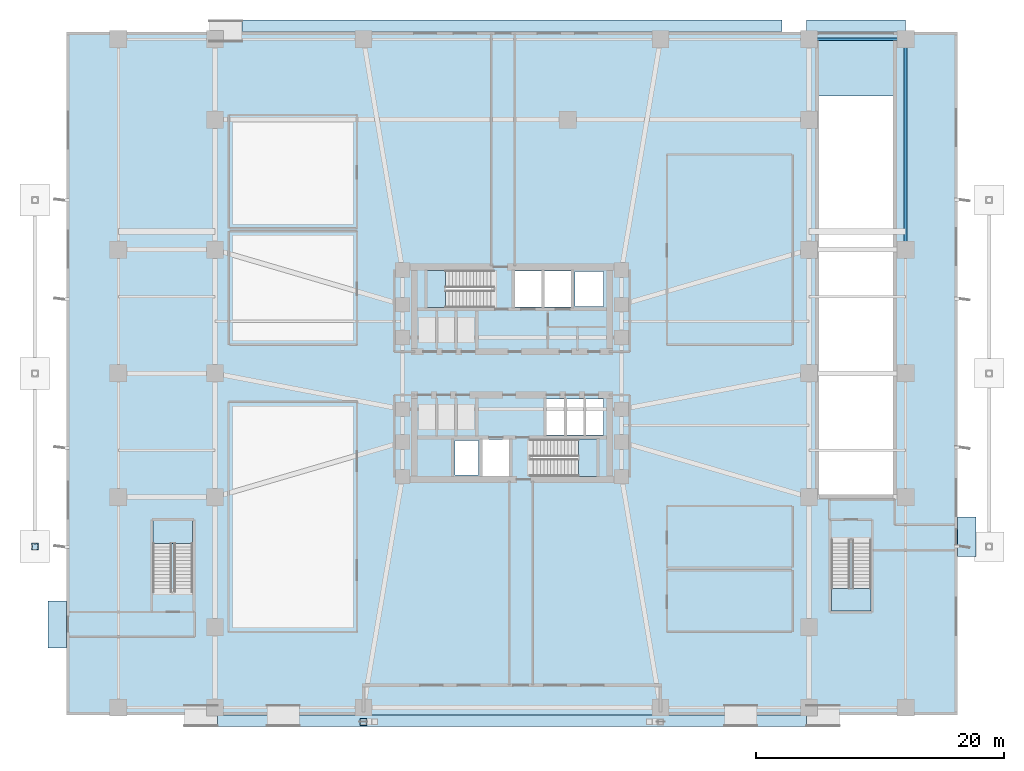
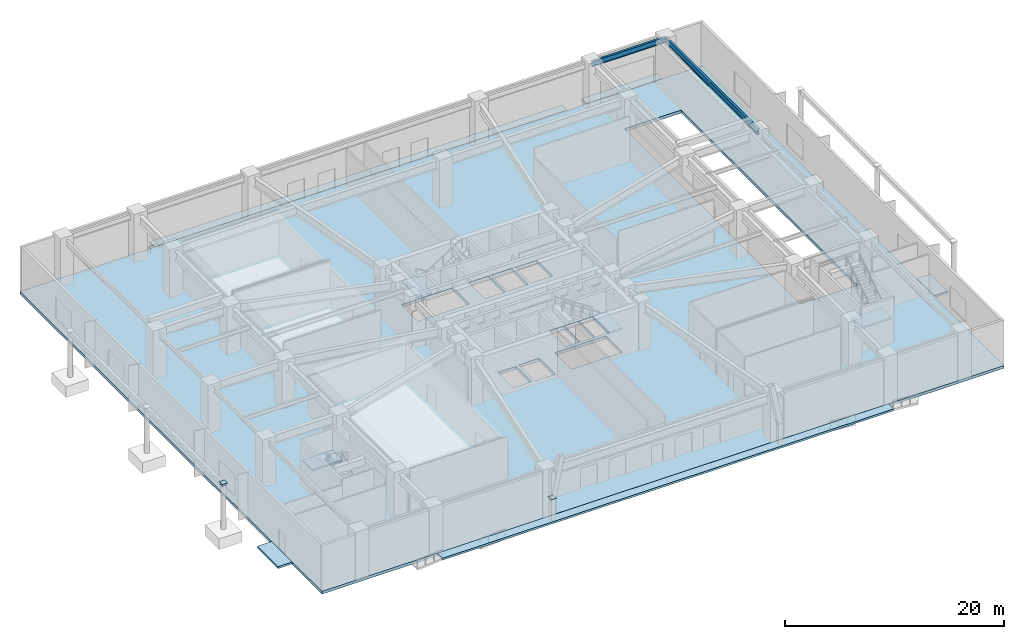
# One storey, part 7 of 20: 10 slabs, 3 plates, 2 beams, 4 elements without a shape of their own.
"""IFC4 building model written with IfcOpenShell, lengths in metres."""

from ifc_helpers import new_model, si_unit, direction, frame, origin, origin_2d, place, context, subcontext, project, spatial, polyline, rectangle, i_section, outline, extrude, material, layer, layer_set, material_profile, profile_set, type_object, element, aggregate, save


model = new_model("IFC4")

# Units and contexts
model_context = context("Model", 3, precision=1e-05, world=origin(), true_north=direction((0.0, 1.0)))
body_context = subcontext(model_context, "Body", "Model", "MODEL_VIEW")
ifc_project = project(units=[si_unit("LENGTHUNIT", "METRE"), si_unit("AREAUNIT", "SQUARE_METRE"), si_unit("VOLUMEUNIT", "CUBIC_METRE"), si_unit("PLANEANGLEUNIT", "RADIAN"), si_unit("MASSUNIT", "GRAM", prefix="KILO")], contexts=[model_context])

# Site, building, storey
site_placement = place(None, origin())
site = spatial("IfcSite", under=ifc_project, at=site_placement, CompositionType="ELEMENT")
building_placement = place(site_placement, origin())
building = spatial("IfcBuilding", under=site, at=building_placement, Name="Solmarez Civic Tower", CompositionType="ELEMENT")
storey_placement = place(building_placement, origin())
storey = spatial("IfcBuildingStorey", under=building, at=storey_placement, Name="L00", CompositionType="ELEMENT", Elevation=0.0)

# Beams
ifc_material_1 = material(Name="Steel S355", Category="steel")
ifc_material_profile = material_profile(ifc_material_1, i_section(OverallWidth=0.22900390625, OverallDepth=0.612060546875, WebThickness=0.011962890625, FlangeThickness=0.01953125, at=origin_2d()), Name="W24X84")
ifc_profile_set = profile_set([ifc_material_profile], Name="Steel S355")
beam_type = type_object("IfcBeamType", Name="BM-SP-W24X84", PredefinedType="SPANDREL", material=ifc_profile_set)
beam_1_placement = place(storey_placement, frame((24.0, 27.0, 4.77392578125), z_axis=(1.0, 0.0, 0.0), x_axis=(0.0, 1.0, 0.0)))
element("IfcBeam", 1, at=beam_1_placement, inside=storey, type_object=beam_type, Name="L00 Perimeter Spandrel Beam BM-L00-PC11-PC12", PredefinedType="SPANDREL", context=body_context, shape_type="SweptSolid", body=[
    extrude(i_section(OverallWidth=0.22900390625, OverallDepth=0.612060546875, WebThickness=0.011962890625, FlangeThickness=0.01953125, at=origin_2d()), origin(), (0.0, 0.0, 1.0), 7.800048828125),
])
beam_2_placement = place(storey_placement, frame((31.800048828125, 10.0, 4.77392578125), z_axis=(0.0, 1.0, 0.0), x_axis=(-1.0, 0.0, 0.0)))
element("IfcBeam", 2, at=beam_2_placement, inside=storey, type_object=beam_type, Name="L00 Perimeter Spandrel Beam BM-L00-PC18-PC12", PredefinedType="SPANDREL", context=body_context, shape_type="SweptSolid", body=[
    extrude(i_section(OverallWidth=0.22900390625, OverallDepth=0.612060546875, WebThickness=0.011962890625, FlangeThickness=0.01953125, at=origin_2d()), origin(), (0.0, 0.0, 1.0), 17.0),
])

# Plates
ifc_layer_1 = layer(ifc_material_1, 0.02392578125)
ifc_layer_set_1 = layer_set([ifc_layer_1], Name="Steel S355")
plate_type_1 = type_object("IfcPlateType", Name="PLT-CAP-380", PredefinedType="USERDEFINED", material=ifc_layer_set_1)
plate_placement = place(storey_placement, frame((-38.550048828125, -14.0, 4.5380859375), z_axis=(0.0, 0.0, 1.0), x_axis=(1.0, 0.0, 0.0)))
element("IfcPlate", 3, at=plate_placement, inside=storey, type_object=plate_type_1, Name="Steel Member End Cap Plate CAP-BM-CANOPY-W1-0", ObjectType="CAP_PLATE", PredefinedType="USERDEFINED", context=body_context, shape_type="SweptSolid", body=[
    extrude(rectangle(XDim=0.419921875, YDim=0.419921875, at=origin_2d()), origin(), (0.0, 0.0, 1.0), 0.02392578125),
])
ifc_layer_2 = layer(ifc_material_1, 0.028076171875)
ifc_layer_set_2 = layer_set([ifc_layer_2], Name="Steel S355")
plate_type_2 = type_object("IfcPlateType", Name="PLT-CAP-540", PredefinedType="USERDEFINED", material=ifc_layer_set_2)
for number, where, z_axis, x_axis, name in (
    (4, (-38.550048828125, -14.0, 4.7861328125), (0.0, 0.0, 1.0), (1.0, 0.0, 0.0), "Steel Member End Cap Plate CAP-COL-CANOPY-PF-W1-TOP"),
    (5, (-12.0, -28.14990234375, 2.3857421875), (0.0, 0.0, 1.0), (1.0, 0.0, 0.0), "Steel Member End Cap Plate PLT-ARCH-NODE-01"),
):
    element("IfcPlate", number, at=place(storey_placement, frame(where, z_axis=z_axis, x_axis=x_axis)), inside=storey, type_object=plate_type_2, Name=name, ObjectType="CAP_PLATE", PredefinedType="USERDEFINED", context=body_context, shape_type="SweptSolid", body=[
        extrude(rectangle(XDim=0.56005859375, YDim=0.56005859375, at=origin_2d()), origin(), (0.0, 0.0, 1.0), 0.028076171875),
    ])

# Slabs
ifc_material_2 = material(Name="Concrete C45/55", Category="concrete")
ifc_layer_3 = layer(ifc_material_2, 0.219970703125)
ifc_layer_set_3 = layer_set([ifc_layer_3], Name="Concrete C45/55")
slab_type_1 = type_object("IfcSlabType", Name="SLAB-APRON-220", PredefinedType="BASESLAB", material=ifc_layer_set_3)
slab_1_placement = place(storey_placement, frame((0.0, 0.0, -0.219970703125)))
element("IfcSlab", 6, at=slab_1_placement, inside=storey, type_object=slab_type_1, Name="L00 North Vehicle Gate Apron Slab", PredefinedType="BASESLAB", context=body_context, shape_type="SweptSolid", body=[
    extrude(outline(polyline([(23.800048828125, 27.60205078125), (31.800048828125, 27.60205078125), (31.800048828125, 28.550048828125), (23.800048828125, 28.550048828125), (23.800048828125, 27.60205078125)])), origin(), (0.0, 0.0, 1.0), 0.219970703125),
])
slab_2_placement = place(storey_placement, frame((0.0, 0.0, -0.219970703125)))
element("IfcSlab", 7, at=slab_2_placement, inside=storey, type_object=slab_type_1, Name="L00 South Civic Arch Forecourt Slab", PredefinedType="BASESLAB", context=body_context, shape_type="SweptSolid", body=[
    extrude(outline(polyline([(-23.800048828125, -28.550048828125), (23.800048828125, -28.550048828125), (23.800048828125, -27.60205078125), (-23.800048828125, -27.60205078125), (-23.800048828125, -28.550048828125)])), origin(), (0.0, 0.0, 1.0), 0.219970703125),
])
slab_3_placement = place(storey_placement, frame((0.0, 0.0, -0.219970703125)))
element("IfcSlab", 8, at=slab_3_placement, inside=storey, type_object=slab_type_1, Name="L00 North Civic Plaza Forecourt Slab", PredefinedType="BASESLAB", context=body_context, shape_type="SweptSolid", body=[
    extrude(outline(polyline([(-21.800048828125, 27.60205078125), (21.800048828125, 27.60205078125), (21.800048828125, 28.550048828125), (-21.800048828125, 28.550048828125), (-21.800048828125, 27.60205078125)])), origin(), (0.0, 0.0, 1.0), 0.219970703125),
])
slab_4_placement = place(storey_placement, frame((0.0, 0.0, -0.219970703125)))
element("IfcSlab", 9, at=slab_4_placement, inside=storey, type_object=slab_type_1, Name="L00 West Stair Exit Apron Slab", PredefinedType="BASESLAB", context=body_context, shape_type="SweptSolid", body=[
    extrude(outline(polyline([(-37.5, -22.199951171875), (-36.001953125, -22.199951171875), (-36.001953125, -18.39990234375), (-37.5, -18.39990234375), (-37.5, -22.199951171875)])), origin(), (0.0, 0.0, 1.0), 0.219970703125),
])
slab_5_placement = place(storey_placement, frame((0.0, 0.0, -0.219970703125)))
element("IfcSlab", 10, at=slab_5_placement, inside=storey, type_object=slab_type_1, Name="L00 East Stair Exit Apron Slab", PredefinedType="BASESLAB", context=body_context, shape_type="SweptSolid", body=[
    extrude(outline(polyline([(36.001953125, -14.800048828125), (37.5, -14.800048828125), (37.5, -11.60009765625), (36.001953125, -11.60009765625), (36.001953125, -14.800048828125)])), origin(), (0.0, 0.0, 1.0), 0.219970703125),
])

# Stair, slab
ifc_material_3 = material(Name="Concrete C50/60", Category="concrete")
stair_type_1 = type_object("IfcStairType", Name="STAIR-DOGLEG-140W-30R-1800", PredefinedType="HALF_TURN_STAIR", material=ifc_material_3)
stair_1_placement = place(storey_placement, origin())
stair_1 = element("IfcStair", 11, at=stair_1_placement, inside=storey, type_object=stair_type_1, Name="L00 North Core Protected Exit Stair ST-1", PredefinedType="HALF_TURN_STAIR")
ifc_layer_4 = layer(ifc_material_3, 0.199951171875)
ifc_layer_set_4 = layer_set([ifc_layer_4], Name="Concrete C50/60")
slab_type_2 = type_object("IfcSlabType", Name="SLAB-LANDING-200", PredefinedType="LANDING", material=ifc_layer_set_4)
slab_6_placement = place(storey_placement, frame((0.0, 0.0, 2.5)))
slab_6 = element("IfcSlab", 12, at=slab_6_placement, type_object=slab_type_2, Name="ST-1 landing 1", PredefinedType="LANDING", context=body_context, shape_type="SweptSolid", body=[
    extrude(outline(polyline([(-5.3701171875, 8.320068359375), (-6.85009765625, 8.320068359375), (-6.85009765625, 5.320068359375), (-5.3701171875, 5.320068359375), (-5.3701171875, 8.320068359375)])), origin(), (0.0, 0.0, 1.0), 0.199951171875),
])
aggregate(stair_1, [slab_6])

stair_2_placement = place(storey_placement, origin())
stair_2 = element("IfcStair", 13, at=stair_2_placement, inside=storey, type_object=stair_type_1, Name="L00 South Core Protected Exit Stair ST-2", PredefinedType="HALF_TURN_STAIR")
slab_7_placement = place(storey_placement, frame((0.0, 0.0, 2.5)))
slab_7 = element("IfcSlab", 14, at=slab_7_placement, type_object=slab_type_2, Name="ST-2 landing 1", PredefinedType="LANDING", context=body_context, shape_type="SweptSolid", body=[
    extrude(outline(polyline([(5.3701171875, -8.320068359375), (6.85009765625, -8.320068359375), (6.85009765625, -5.320068359375), (5.3701171875, -5.320068359375), (5.3701171875, -8.320068359375)])), origin(), (0.0, 0.0, 1.0), 0.199951171875),
])
aggregate(stair_2, [slab_7])

stair_type_2 = type_object("IfcStairType", Name="STAIR-DOGLEG-150W-30R-1800", PredefinedType="HALF_TURN_STAIR", material=ifc_material_3)
stair_3_placement = place(storey_placement, origin())
stair_3 = element("IfcStair", 15, at=stair_3_placement, inside=storey, type_object=stair_type_2, Name="L00 West Podium Exit Stair ST-P1", PredefinedType="HALF_TURN_STAIR")
slab_8_placement = place(storey_placement, frame((0.0, 0.0, 2.5)))
slab_8 = element("IfcSlab", 16, at=slab_8_placement, type_object=slab_type_2, Name="ST-P1 landing 1", PredefinedType="LANDING", context=body_context, shape_type="SweptSolid", body=[
    extrude(outline(polyline([(-25.800048828125, -13.72998046875), (-25.800048828125, -11.89990234375), (-29.0, -11.89990234375), (-29.0, -13.72998046875), (-25.800048828125, -13.72998046875)])), origin(), (0.0, 0.0, 1.0), 0.199951171875),
])
aggregate(stair_3, [slab_8])

stair_4_placement = place(storey_placement, origin())
stair_4 = element("IfcStair", 17, at=stair_4_placement, inside=storey, type_object=stair_type_2, Name="L00 East Podium Exit Stair ST-P2", PredefinedType="HALF_TURN_STAIR")
slab_9_placement = place(storey_placement, frame((0.0, 0.0, 2.5)))
slab_9 = element("IfcSlab", 18, at=slab_9_placement, type_object=slab_type_2, Name="ST-P2 landing 1", PredefinedType="LANDING", context=body_context, shape_type="SweptSolid", body=[
    extrude(outline(polyline([(25.800048828125, -17.3701171875), (25.800048828125, -19.199951171875), (29.0, -19.199951171875), (29.0, -17.3701171875), (25.800048828125, -17.3701171875)])), origin(), (0.0, 0.0, 1.0), 0.199951171875),
])
aggregate(stair_4, [slab_9])

# Slab
ifc_layer_5 = layer(ifc_material_3, 0.320068359375)
ifc_layer_set_5 = layer_set([ifc_layer_5], Name="Concrete C50/60")
slab_type_3 = type_object("IfcSlabType", Name="SLAB-POD-320", PredefinedType="FLOOR", material=ifc_layer_set_5)
slab_10_placement = place(storey_placement, frame((0.0, 0.0, -0.320068359375)))
element("IfcSlab", 19, at=slab_10_placement, inside=storey, type_object=slab_type_3, Name="L00 Structural Slab", PredefinedType="FLOOR", context=body_context, shape_type="SweptSolid", body=[
    extrude(outline(polyline([(36.0, -27.60009765625), (36.0, 27.60009765625), (-36.0, 27.60009765625), (-36.0, -27.60009765625), (36.0, -27.60009765625)]), holes=[polyline([(-1.449951171875, 8.320068359375), (-6.85009765625, 8.320068359375), (-6.85009765625, 5.320068359375), (-1.449951171875, 5.320068359375), (-1.449951171875, 8.320068359375)]), polyline([(1.449951171875, -8.320068359375), (6.85009765625, -8.320068359375), (6.85009765625, -5.320068359375), (1.449951171875, -5.320068359375), (1.449951171875, -8.320068359375)]), polyline([(0.219970703125, 5.360107421875), (2.3798828125, 5.360107421875), (2.3798828125, 8.280029296875), (0.219970703125, 8.280029296875), (0.219970703125, 5.360107421875)]), polyline([(2.6201171875, 5.360107421875), (4.780029296875, 5.360107421875), (4.780029296875, 8.280029296875), (2.6201171875, 8.280029296875), (2.6201171875, 5.360107421875)]), polyline([(-2.3798828125, -8.280029296875), (-0.219970703125, -8.280029296875), (-0.219970703125, -5.360107421875), (-2.3798828125, -5.360107421875), (-2.3798828125, -8.280029296875)]), polyline([(2.800048828125, -4.9599609375), (4.280029296875, -4.9599609375), (4.280029296875, -2.06005859375), (2.800048828125, -2.06005859375), (2.800048828125, -4.9599609375)]), polyline([(4.360107421875, -4.9599609375), (5.840087890625, -4.9599609375), (5.840087890625, -2.06005859375), (4.360107421875, -2.06005859375), (4.360107421875, -4.9599609375)]), polyline([(5.919921875, -4.9599609375), (7.39990234375, -4.9599609375), (7.39990234375, -2.06005859375), (5.919921875, -2.06005859375), (5.919921875, -4.9599609375)]), polyline([(5.10009765625, 5.419921875), (7.39990234375, 5.419921875), (7.39990234375, 8.219970703125), (5.10009765625, 8.219970703125), (5.10009765625, 5.419921875)]), polyline([(-4.60009765625, -8.219970703125), (-2.699951171875, -8.219970703125), (-2.699951171875, -5.419921875), (-4.60009765625, -5.419921875), (-4.60009765625, -8.219970703125)]), polyline([(24.800048828125, -9.800048828125), (30.800048828125, -9.800048828125), (30.800048828125, 22.39990234375), (24.800048828125, 22.39990234375), (24.800048828125, -9.800048828125)])]), origin(), (0.0, 0.0, 1.0), 0.320068359375),
])

save(model, "model.ifc")
